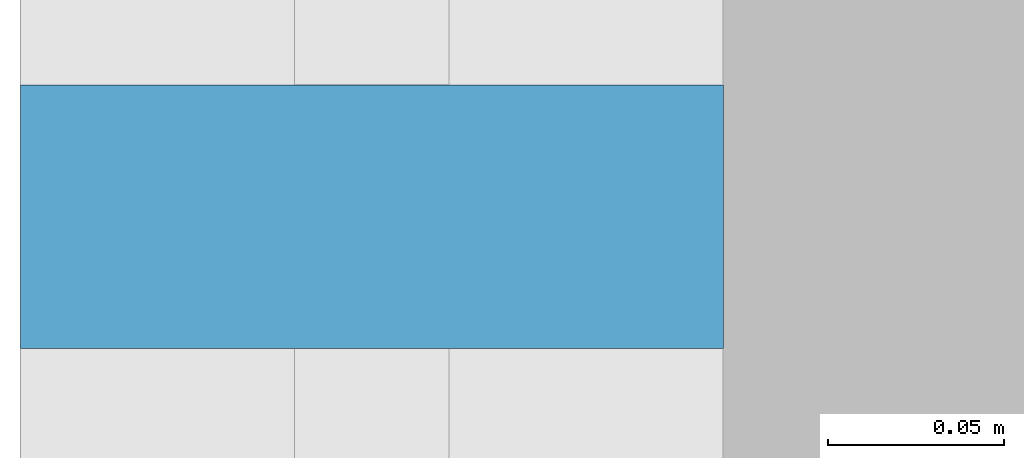
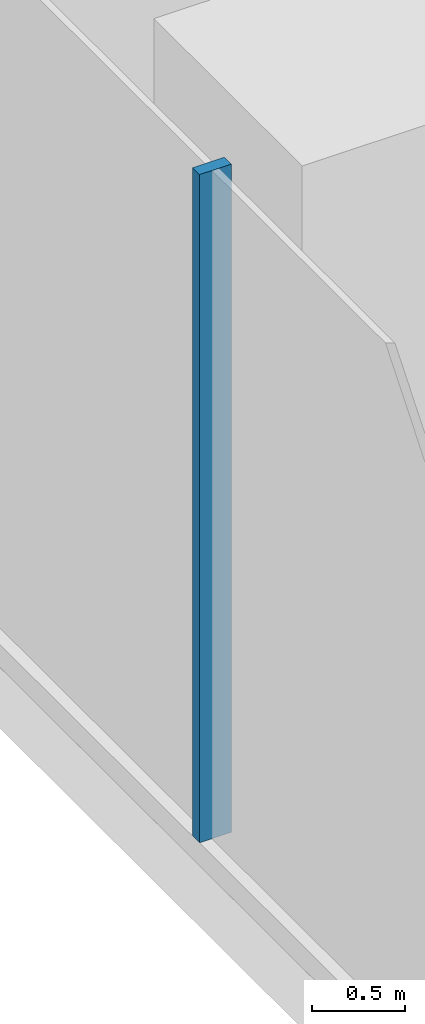
# One storey, part 5 of 27: 1 member, 1 element without a shape of its own.
"""IFC4 building model written with IfcOpenShell, lengths in metres."""

from ifc_helpers import new_model, si_unit, direction, frame, origin, origin_2d, place, context, subcontext, project, spatial, rectangle, extrude, source, transform, mapped, material, material_profile, profile_set, type_object, element, aggregate, save


model = new_model("IFC4")

# Units and contexts
model_context = context("Model", 3, precision=1e-05, world=origin(), true_north=direction((0.0, 1.0)))
body_context = subcontext(model_context, "Body", "Model", "MODEL_VIEW")
ifc_project = project(units=[si_unit("LENGTHUNIT", "METRE"), si_unit("AREAUNIT", "SQUARE_METRE"), si_unit("VOLUMEUNIT", "CUBIC_METRE"), si_unit("PLANEANGLEUNIT", "RADIAN"), si_unit("MASSUNIT", "GRAM", prefix="KILO")], contexts=[model_context])

# Site, building, storey
site_placement = place(None, origin())
site = spatial("IfcSite", under=ifc_project, at=site_placement, CompositionType="ELEMENT")
building_placement = place(site_placement, origin())
building = spatial("IfcBuilding", under=site, at=building_placement, Name="Kemantara Hotel Tower", CompositionType="ELEMENT")
storey_placement = place(building_placement, frame((0.0, 0.0, 29.0)))
storey = spatial("IfcBuildingStorey", under=building, at=storey_placement, Name="L05", CompositionType="ELEMENT", Elevation=29.0)

# Curtain wall, member
ifc_material_1 = material(Name="Laminated tinted insulated glass 44 mm", Category="glass")
curtain_wall_type = type_object("IfcCurtainWallType", Name="PODIUM GLASS CURTAIN WALL", PredefinedType="USERDEFINED", material=ifc_material_1)
curtain_wall_placement = place(storey_placement, origin())
curtain_wall = element("IfcCurtainWall", 1, at=curtain_wall_placement, inside=storey, type_object=curtain_wall_type, Name="CW1 L05 POD-R16-1", ObjectType="PODIUM GLASS CURTAIN WALL", PredefinedType="USERDEFINED")
ifc_material_2 = material(Name="Aluminium 6063-T6 bronze anodised", Category="aluminium")
ifc_material_profile = material_profile(ifc_material_2, rectangle(XDim=0.199951171875, YDim=0.074951171875, at=origin_2d()), Name="PODIUM GLASS CURTAIN WALL MULLION")
ifc_profile_set = profile_set([ifc_material_profile], Name="Aluminium 6063-T6 bronze anodised")
member_type = type_object("IfcMemberType", Name="PODIUM GLASS CURTAIN WALL MULLION", PredefinedType="MULLION", material=ifc_profile_set)
shared_shape = source(origin(), body_context, "Body", "SweptSolid", [
    extrude(rectangle(XDim=0.199951171875, YDim=0.074951171875, at=origin_2d()), origin(), (0.0, 0.0, 1.0), 4.400146484375),
])
member_placement = place(storey_placement, frame((0.10009765625, 36.199951171875, 0.14990234375), z_axis=(0.0, 0.0, 1.0), x_axis=(1.0, 0.0, 0.0)))
member = element("IfcMember", 2, at=member_placement, type_object=member_type, Name="CW1 mullion POD-R16-1.6", PredefinedType="MULLION", context=body_context, shape_type="MappedRepresentation", body=[
    mapped(shared_shape, transform((0.0, 0.0, 0.0))),
])
aggregate(curtain_wall, [member])

save(model, "model.ifc")
